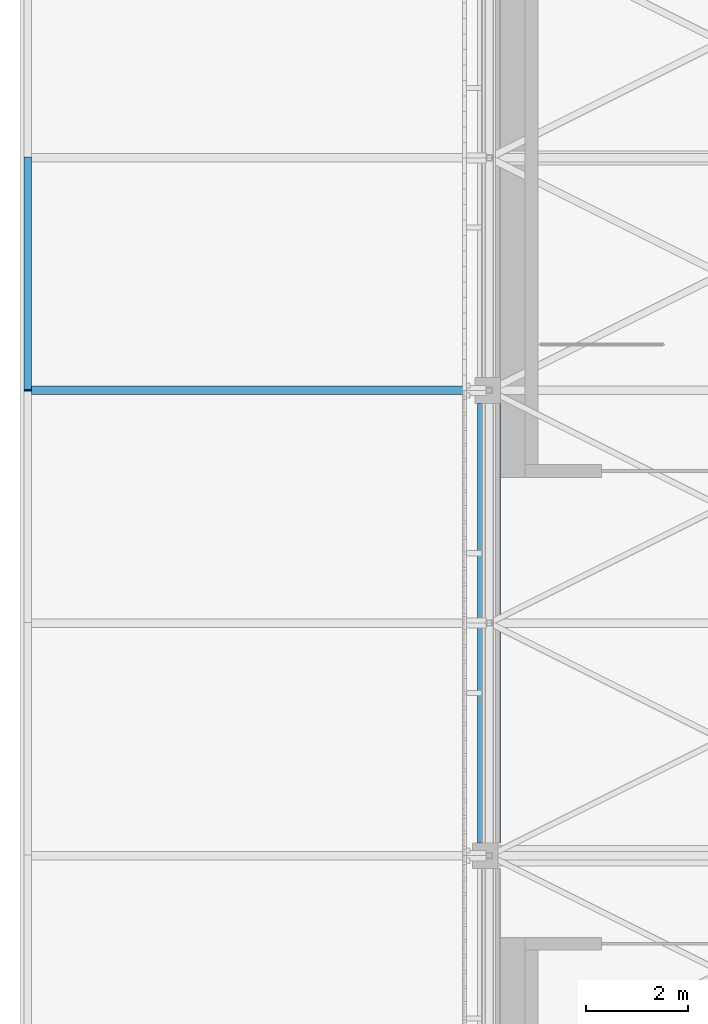
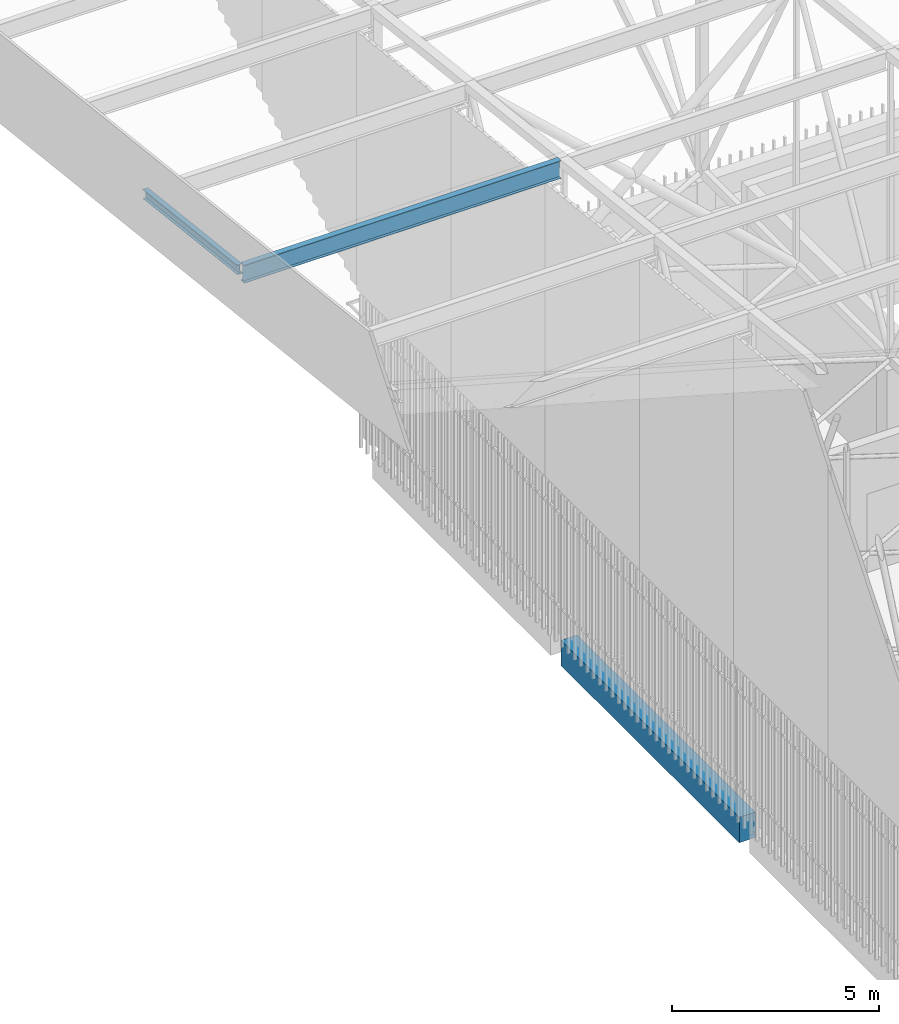
# One storey, part 219 of 500: 2 members, 1 beam.
"""IFC4 building model written with IfcOpenShell, lengths in metres."""

from ifc_helpers import new_model, si_unit, direction, frame, origin, origin_2d, place, context, subcontext, project, spatial, rectangle, i_section, extrude, material, material_profile, profile_set, type_object, element, save


model = new_model("IFC4")

# Units and contexts
model_context = context("Model", 3, precision=1e-05, world=origin(), true_north=direction((0.0, 1.0)))
body_context = subcontext(model_context, "Body", "Model", "MODEL_VIEW")
ifc_project = project(units=[si_unit("LENGTHUNIT", "METRE"), si_unit("AREAUNIT", "SQUARE_METRE"), si_unit("VOLUMEUNIT", "CUBIC_METRE"), si_unit("PLANEANGLEUNIT", "RADIAN"), si_unit("MASSUNIT", "GRAM", prefix="KILO")], contexts=[model_context])

# Site, building, storey
site_placement = place(None, origin())
site = spatial("IfcSite", under=ifc_project, at=site_placement, CompositionType="ELEMENT")
building_placement = place(site_placement, origin())
building = spatial("IfcBuilding", under=site, at=building_placement, Name="Shirokan Park Arena", CompositionType="ELEMENT")
storey_placement = place(building_placement, frame((0.0, 0.0, 29.1201171875)))
storey = spatial("IfcBuildingStorey", under=building, at=storey_placement, Name="L06", CompositionType="ELEMENT", Elevation=29.1201171875)

# Member
ifc_material_1 = material(Name="Steel ASTM A992", Category="steel")
ifc_material_profile_1 = material_profile(ifc_material_1, i_section(OverallWidth=0.166015625, OverallDepth=0.528076171875, WebThickness=0.009765625, FlangeThickness=0.013671875, at=origin_2d()), Name="W530X74")
ifc_profile_set_1 = profile_set([ifc_material_profile_1], Name="Steel ASTM A992")
member_type_1 = type_object("IfcMemberType", Name="Purlin W530X74", PredefinedType="PURLIN", material=ifc_profile_set_1)
member_1_placement = place(storey_placement, frame((-8.951904296875, 100.10009765625, 13.52587890625), z_axis=(1.0, 0.0, 0.0), x_axis=(0.0, 1.0, 0.0)))
element("IfcMember", 1, at=member_1_placement, inside=storey, type_object=member_type_1, Name="Eave purlin west 25", PredefinedType="PURLIN", context=body_context, shape_type="SweptSolid", body=[
    extrude(i_section(OverallWidth=0.166015625, OverallDepth=0.528076171875, WebThickness=0.009765625, FlangeThickness=0.013671875, at=origin_2d()), origin(), (0.0, 0.0, 1.0), 8.824951171875),
])

# Beam
ifc_material_2 = material(Name="Concrete C35", Category="concrete")
ifc_material_profile_2 = material_profile(ifc_material_2, rectangle(XDim=0.449951171875, YDim=0.75, at=origin_2d()), Name="450x750")
ifc_profile_set_2 = profile_set([ifc_material_profile_2], Name="Concrete C35")
beam_type = type_object("IfcBeamType", Name="RC girder 450x750", PredefinedType="BEAM", material=ifc_profile_set_2)
beam_placement = place(storey_placement, frame((0.0, 91.25, -0.5751953125), z_axis=(0.0, 1.0, 0.0), x_axis=(-1.0, 0.0, 0.0)))
element("IfcBeam", 2, at=beam_placement, inside=storey, type_object=beam_type, Name="Girder 1L-1M L06", PredefinedType="BEAM", context=body_context, shape_type="SweptSolid", body=[
    extrude(rectangle(XDim=0.449951171875, YDim=0.75, at=origin_2d()), origin(), (0.0, 0.0, 1.0), 8.599853515625),
])

# Member
ifc_material_profile_3 = material_profile(ifc_material_1, i_section(OverallWidth=0.14794921875, OverallDepth=0.26708984375, WebThickness=0.007568359375, FlangeThickness=0.012939453125, at=origin_2d()), Name="W250X44.8")
ifc_profile_set_3 = profile_set([ifc_material_profile_3], Name="Steel ASTM A992")
member_type_2 = type_object("IfcMemberType", Name="Roof edge beam W250X44.8", PredefinedType="USERDEFINED", material=ifc_profile_set_3)
member_2_placement = place(storey_placement, frame((-9.02587890625, 100.10009765625, 13.656494140625), z_axis=(0.0, 0.993531641592, -0.11355561261), x_axis=(-1.0, 0.0, 0.0)))
element("IfcMember", 3, at=member_2_placement, inside=storey, type_object=member_type_2, Name="Roof edge beam W 25", ObjectType="ROOF EDGE BEAM", PredefinedType="USERDEFINED", context=body_context, shape_type="SweptSolid", body=[
    extrude(i_section(OverallWidth=0.14794921875, OverallDepth=0.26708984375, WebThickness=0.007568359375, FlangeThickness=0.012939453125, at=origin_2d()), origin(), (0.0, 0.0, 1.0), 4.579345703125),
])

save(model, "model.ifc")
